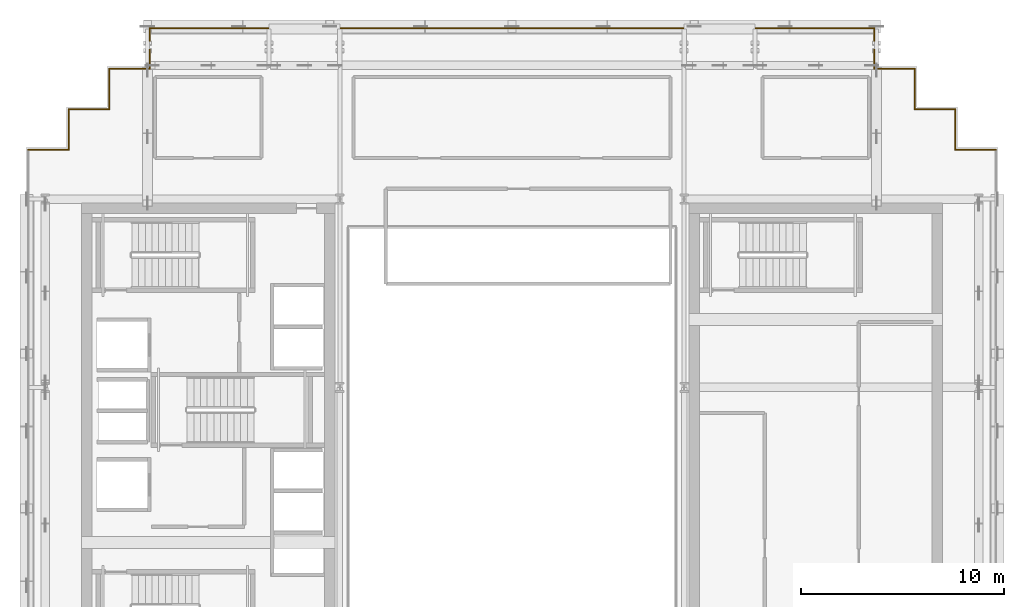
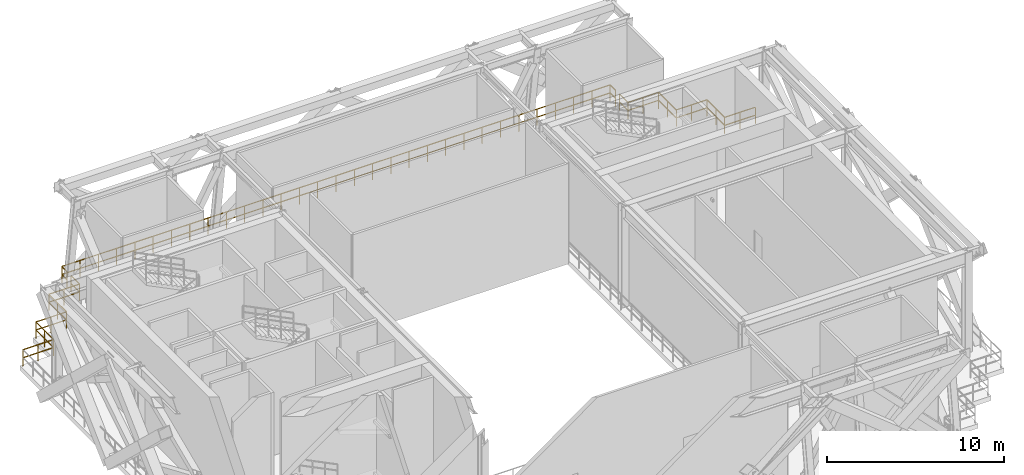
# One storey, part 13 of 13: 15 railings.
"""IFC4 building model written with IfcOpenShell, lengths in metres."""

import ifcopenshell
import ifcopenshell.guid

model = None  # the IFC model being written
_history = None  # IfcOwnerHistory: only IFC2X3 demands one
_inside = {}  # id of a spatial element -> (the spatial element, [elements in it])
_under = {}  # id of a project, library or spatial element -> (it, [spatial elements below it])
_declared = {}  # id of a project -> (the project, [libraries it declares])
_typed = {}  # id of a type object -> (the type object, [elements of that type])
_made_of = {}  # id of a material, layer set ... -> (it, [elements and type objects made of it])


def new_model(schema):
    """Start an empty IFC model of exactly this schema.

    Asked for "IFC4X3", IfcOpenShell would pick the latest addendum, in which some entities
    have other attributes; the version numbers below select the first issue.
    IFC2X3 requires an IfcOwnerHistory on every rooted entity: one is made here for all.
    """
    global model, _history
    if schema == "IFC4X3":
        model = ifcopenshell.file(schema_version=(4, 3, 0, 0))
    else:
        model = ifcopenshell.file(schema=schema)
    _inside.clear()
    _under.clear()
    _declared.clear()
    _typed.clear()
    _made_of.clear()
    _history = None
    if model.schema == "IFC2X3":
        org = make("IfcOrganization", Name="unknown")
        user = make(
            "IfcPersonAndOrganization",
            ThePerson=make("IfcPerson", FamilyName="unknown"),
            TheOrganization=org,
        )
        app = make(
            "IfcApplication",
            ApplicationDeveloper=org,
            Version="unknown",
            ApplicationFullName="unknown",
            ApplicationIdentifier="unknown",
        )
        _history = make(
            "IfcOwnerHistory",
            OwningUser=user,
            OwningApplication=app,
            ChangeAction="ADDED",
            CreationDate=0,
        )
    return model


def make(cls, **values):
    """One entity of the class cls with the attributes given. An attribute that is None is left unset."""
    return model.create_entity(
        cls, **{name: value for name, value in values.items() if value is not None}
    )


def rooted(cls, **values):
    """An entity with a GlobalId (a new one), such as an element, a storey or a relation."""
    return make(cls, GlobalId=ifcopenshell.guid.new(), OwnerHistory=_history, **values)


def si_unit(unit_type, name, prefix=None):
    """IfcSIUnit, for example si_unit("LENGTHUNIT", "METRE", prefix="MILLI")."""
    return make("IfcSIUnit", UnitType=unit_type, Prefix=prefix, Name=name)


def assignment(units):
    """IfcUnitAssignment: the units of a project."""
    return None if units is None else make("IfcUnitAssignment", Units=units)


def point(xyz):
    """IfcCartesianPoint."""
    return None if xyz is None else make("IfcCartesianPoint", Coordinates=xyz)


def direction(xyz):
    """IfcDirection."""
    return None if xyz is None else make("IfcDirection", DirectionRatios=xyz)


def frame(location, z_axis=None, x_axis=None):
    """IfcAxis2Placement3D, a coordinate frame: its origin and axes. An axis left out is left unset."""
    return make(
        "IfcAxis2Placement3D",
        Location=point(location),
        Axis=direction(z_axis),
        RefDirection=direction(x_axis),
    )


def frame_2d(location, x_axis=None):
    """IfcAxis2Placement2D, a coordinate frame in the plane: its origin and x axis."""
    return make(
        "IfcAxis2Placement2D", Location=point(location), RefDirection=direction(x_axis)
    )


def origin():
    """The frame at (0, 0, 0) with its axes left unset."""
    return frame((0.0, 0.0, 0.0))


def origin_2d():
    """The frame at (0, 0) in the plane with its x axis left unset."""
    return frame_2d((0.0, 0.0))


def place(relative_to, where):
    """IfcLocalPlacement: puts the frame where relative to a parent placement (None: the world)."""
    return make(
        "IfcLocalPlacement", PlacementRelTo=relative_to, RelativePlacement=where
    )


def context(
    kind, dimensions, precision=None, world=None, true_north=None, identifier=None
):
    """IfcGeometricRepresentationContext, for example the 3D "Model" context."""
    return make(
        "IfcGeometricRepresentationContext",
        ContextIdentifier=identifier,
        ContextType=kind,
        CoordinateSpaceDimension=dimensions,
        Precision=precision,
        WorldCoordinateSystem=world,
        TrueNorth=true_north,
    )


def subcontext(parent, identifier, kind, view, scale=None):
    """IfcGeometricRepresentationSubContext, for example "Body" below "Model"."""
    return make(
        "IfcGeometricRepresentationSubContext",
        ContextIdentifier=identifier,
        ContextType=kind,
        ParentContext=parent,
        TargetScale=scale,
        TargetView=view,
    )


def project(units=None, contexts=None):
    """IfcProject with its units and contexts."""
    return rooted(
        "IfcProject",
        Name="project",
        RepresentationContexts=contexts,
        UnitsInContext=assignment(units),
    )


def spatial(cls, under=None, at=None, **own):
    """A site, building, storey or space (cls), placed at a placement, below another one or the project."""
    s = rooted(cls, ObjectPlacement=at, **own)
    if under is not None:
        _under.setdefault(under.id(), (under, []))[1].append(s)
    return s


def profile(cls, at=None, kind="AREA", **sizes):
    """A parametric profile (cls). Its sizes go by their IFC names, for example OverallWidth=200.0."""
    return make(cls, ProfileType=kind, Position=at, **sizes)


def rectangle(**sizes):
    """IfcRectangleProfileDef."""
    return profile("IfcRectangleProfileDef", **sizes)


def extrude(swept, where, along, depth):
    """IfcExtrudedAreaSolid: the profile swept, set in the frame where, extruded along a direction by depth."""
    return make(
        "IfcExtrudedAreaSolid",
        SweptArea=swept,
        Position=where,
        ExtrudedDirection=direction(along),
        Depth=depth,
    )


def shape(context_of_items, identifier, shape_type, items):
    """IfcShapeRepresentation: the items that make up one representation, for example the "Body"."""
    return make(
        "IfcShapeRepresentation",
        ContextOfItems=context_of_items,
        RepresentationIdentifier=identifier,
        RepresentationType=shape_type,
        Items=items,
    )


def material(Name=None, Category=None):
    """IfcMaterial."""
    return make("IfcMaterial", Name=Name, Category=Category)


def made_of(thing, what):
    """Note that an element or type object is made of a material, layer set ...; save() writes the relation."""
    if what is not None:
        _made_of.setdefault(what.id(), (what, []))[1].append(thing)
    return thing


def type_object(cls, material=None, **own):
    """A type object (cls), such as IfcWallType, which elements share."""
    return made_of(rooted(cls, **own), material)


def element(
    cls,
    number,
    at=None,
    inside=None,
    cuts=None,
    type_object=None,
    material=None,
    context=None,
    identifier="Body",
    shape_type=None,
    held_by="IfcProductDefinitionShape",
    body=None,
    shapes=None,
    **own,
):
    """One element of the class cls, such as IfcWall. Its Tag is "e" and its number.

    at: its placement. inside: the storey or other place that contains it. cuts: it is an
    opening in that element (IfcRelVoidsElement). A single representation is given by context,
    identifier, shape_type and body (its items); several are given by shapes. held_by: the class
    of the entity that holds the representations. save() writes the other relations.
    """
    e = rooted(cls, Tag="e%d" % number, ObjectPlacement=at, **own)
    if body is not None:
        shapes = [shape(context, identifier, shape_type, body)]
    if shapes is not None:
        e.Representation = make(held_by, Representations=shapes)
    if inside is not None:
        _inside.setdefault(inside.id(), (inside, []))[1].append(e)
    if cuts is not None:
        rooted(
            "IfcRelVoidsElement", RelatingBuildingElement=cuts, RelatedOpeningElement=e
        )
    if type_object is not None:
        _typed.setdefault(type_object.id(), (type_object, []))[1].append(e)
    return made_of(e, material)


def aggregate(whole, parts):
    """IfcRelAggregates: a whole, such as a stair, and the parts it consists of."""
    return rooted("IfcRelAggregates", RelatingObject=whole, RelatedObjects=parts)


def save(model, path):
    """Write the relations noted so far, then the file.

    IfcRelAggregates (storeys below a building ...), IfcRelContainedInSpatialStructure (elements
    in a storey), IfcRelDefinesByType, IfcRelAssociatesMaterial and IfcRelDeclares: one each for
    every whole, place, type object, material and project.
    """
    for whole, parts in _under.values():
        aggregate(whole, parts)
    for where, things in _inside.values():
        rooted(
            "IfcRelContainedInSpatialStructure",
            RelatedElements=things,
            RelatingStructure=where,
        )
    for kind, things in _typed.values():
        rooted("IfcRelDefinesByType", RelatedObjects=things, RelatingType=kind)
    for what, things in _made_of.values():
        rooted("IfcRelAssociatesMaterial", RelatedObjects=things, RelatingMaterial=what)
    for by, libraries in _declared.values():
        rooted("IfcRelDeclares", RelatingContext=by, RelatedDefinitions=libraries)
    model.write(path)


model = new_model("IFC4")

# Units and contexts
model_context = context("Model", 3, precision=1e-05, world=origin(), true_north=direction((0.0, 1.0)))
body_context = subcontext(model_context, "Body", "Model", "MODEL_VIEW")
ifc_project = project(units=[si_unit("LENGTHUNIT", "METRE"), si_unit("AREAUNIT", "SQUARE_METRE"), si_unit("VOLUMEUNIT", "CUBIC_METRE"), si_unit("PLANEANGLEUNIT", "RADIAN"), si_unit("MASSUNIT", "GRAM", prefix="KILO")], contexts=[model_context])

# Site, building, storey
site_placement = place(None, origin())
site = spatial("IfcSite", under=ifc_project, at=site_placement, CompositionType="ELEMENT")
building_placement = place(site_placement, origin())
building = spatial("IfcBuilding", under=site, at=building_placement, Name="Ocotamira Hotel", CompositionType="ELEMENT")
storey_placement = place(building_placement, frame((0.0, 0.0, 220.800048828125)))
storey = spatial("IfcBuildingStorey", under=building, at=storey_placement, Name="L56", CompositionType="ELEMENT", Elevation=220.800048828125)

# Railings
ifc_material = material(Name="Pale-metal stainless steel guardrail", Category="steel")
railing_type = type_object("IfcRailingType", Name="RL-PERIM-1150", PredefinedType="GUARDRAIL", material=ifc_material)
railing_1_placement = place(storey_placement, frame((8.1201171875, 39.8798828125, 0.0)))
element("IfcRailing", 1, at=railing_1_placement, inside=storey, type_object=railing_type, Name="L56 Perimeter Guardrail WSLOT1-09", PredefinedType="GUARDRAIL", context=body_context, shape_type="SweptSolid", body=[
    extrude(rectangle(XDim=0.048095703125, YDim=0.048095703125, at=origin_2d()), frame((0.0, 0.0, 1.1259765625), z_axis=(1.0, 0.0, 0.0), x_axis=(0.0, 1.0, 0.0)), (0.0, 0.0, 1.0), 2.0),
    extrude(rectangle(XDim=0.048095703125, YDim=0.048095703125, at=origin_2d()), frame((0.0, 0.0, 0.574951171875), z_axis=(1.0, 0.0, 0.0), x_axis=(0.0, 1.0, 0.0)), (0.0, 0.0, 1.0), 2.0),
    extrude(rectangle(XDim=0.0419921875, YDim=0.0419921875, at=origin_2d()), origin(), (0.0, 0.0, 1.0), 1.101806640625),
    extrude(rectangle(XDim=0.0419921875, YDim=0.0419921875, at=origin_2d()), frame((1.0, 0.0, 0.0)), (0.0, 0.0, 1.0), 1.101806640625),
    extrude(rectangle(XDim=0.0419921875, YDim=0.0419921875, at=origin_2d()), frame((2.0, 0.0, 0.0)), (0.0, 0.0, 1.0), 1.101806640625),
])
railing_2_placement = place(storey_placement, frame((10.1201171875, 39.8798828125, 0.0)))
element("IfcRailing", 2, at=railing_2_placement, inside=storey, type_object=railing_type, Name="L56 Perimeter Guardrail WSLOT1-10", PredefinedType="GUARDRAIL", context=body_context, shape_type="SweptSolid", body=[
    extrude(rectangle(XDim=0.048095703125, YDim=0.048095703125, at=origin_2d()), frame((0.0, 0.0, 1.1259765625), z_axis=(0.0, 1.0, 0.0), x_axis=(-1.0, 0.0, 0.0)), (0.0, 0.0, 1.0), 2.0),
    extrude(rectangle(XDim=0.048095703125, YDim=0.048095703125, at=origin_2d()), frame((0.0, 0.0, 0.574951171875), z_axis=(0.0, 1.0, 0.0), x_axis=(-1.0, 0.0, 0.0)), (0.0, 0.0, 1.0), 2.0),
    extrude(rectangle(XDim=0.0419921875, YDim=0.0419921875, at=origin_2d()), origin(), (0.0, 0.0, 1.0), 1.101806640625),
    extrude(rectangle(XDim=0.0419921875, YDim=0.0419921875, at=origin_2d()), frame((0.0, 1.0, 0.0)), (0.0, 0.0, 1.0), 1.101806640625),
    extrude(rectangle(XDim=0.0419921875, YDim=0.0419921875, at=origin_2d()), frame((0.0, 2.0, 0.0)), (0.0, 0.0, 1.0), 1.101806640625),
])
railing_3_placement = place(storey_placement, frame((10.1201171875, 41.8798828125, 0.0)))
element("IfcRailing", 3, at=railing_3_placement, inside=storey, type_object=railing_type, Name="L56 Perimeter Guardrail WSLOT1-11", PredefinedType="GUARDRAIL", context=body_context, shape_type="SweptSolid", body=[
    extrude(rectangle(XDim=0.048095703125, YDim=0.048095703125, at=origin_2d()), frame((0.0, 0.0, 1.1259765625), z_axis=(1.0, 0.0, 0.0), x_axis=(0.0, 1.0, 0.0)), (0.0, 0.0, 1.0), 2.0),
    extrude(rectangle(XDim=0.048095703125, YDim=0.048095703125, at=origin_2d()), frame((0.0, 0.0, 0.574951171875), z_axis=(1.0, 0.0, 0.0), x_axis=(0.0, 1.0, 0.0)), (0.0, 0.0, 1.0), 2.0),
    extrude(rectangle(XDim=0.0419921875, YDim=0.0419921875, at=origin_2d()), origin(), (0.0, 0.0, 1.0), 1.101806640625),
    extrude(rectangle(XDim=0.0419921875, YDim=0.0419921875, at=origin_2d()), frame((1.0, 0.0, 0.0)), (0.0, 0.0, 1.0), 1.101806640625),
    extrude(rectangle(XDim=0.0419921875, YDim=0.0419921875, at=origin_2d()), frame((2.0, 0.0, 0.0)), (0.0, 0.0, 1.0), 1.101806640625),
])
railing_4_placement = place(storey_placement, frame((12.1201171875, 41.8798828125, 0.0)))
element("IfcRailing", 4, at=railing_4_placement, inside=storey, type_object=railing_type, Name="L56 Perimeter Guardrail WSLOT1-12", PredefinedType="GUARDRAIL", context=body_context, shape_type="SweptSolid", body=[
    extrude(rectangle(XDim=0.048095703125, YDim=0.048095703125, at=origin_2d()), frame((0.0, 0.0, 1.1259765625), z_axis=(0.0, 1.0, 0.0), x_axis=(-1.0, 0.0, 0.0)), (0.0, 0.0, 1.0), 2.0),
    extrude(rectangle(XDim=0.048095703125, YDim=0.048095703125, at=origin_2d()), frame((0.0, 0.0, 0.574951171875), z_axis=(0.0, 1.0, 0.0), x_axis=(-1.0, 0.0, 0.0)), (0.0, 0.0, 1.0), 2.0),
    extrude(rectangle(XDim=0.0419921875, YDim=0.0419921875, at=origin_2d()), origin(), (0.0, 0.0, 1.0), 1.101806640625),
    extrude(rectangle(XDim=0.0419921875, YDim=0.0419921875, at=origin_2d()), frame((0.0, 1.0, 0.0)), (0.0, 0.0, 1.0), 1.101806640625),
    extrude(rectangle(XDim=0.0419921875, YDim=0.0419921875, at=origin_2d()), frame((0.0, 2.0, 0.0)), (0.0, 0.0, 1.0), 1.101806640625),
])
railing_5_placement = place(storey_placement, frame((12.1201171875, 43.8798828125, 0.0)))
element("IfcRailing", 5, at=railing_5_placement, inside=storey, type_object=railing_type, Name="L56 Perimeter Guardrail WSLOT1-13", PredefinedType="GUARDRAIL", context=body_context, shape_type="SweptSolid", body=[
    extrude(rectangle(XDim=0.048095703125, YDim=0.048095703125, at=origin_2d()), frame((0.0, 0.0, 1.1259765625), z_axis=(1.0, 0.0, 0.0), x_axis=(0.0, 1.0, 0.0)), (0.0, 0.0, 1.0), 2.0),
    extrude(rectangle(XDim=0.048095703125, YDim=0.048095703125, at=origin_2d()), frame((0.0, 0.0, 0.574951171875), z_axis=(1.0, 0.0, 0.0), x_axis=(0.0, 1.0, 0.0)), (0.0, 0.0, 1.0), 2.0),
    extrude(rectangle(XDim=0.0419921875, YDim=0.0419921875, at=origin_2d()), origin(), (0.0, 0.0, 1.0), 1.101806640625),
    extrude(rectangle(XDim=0.0419921875, YDim=0.0419921875, at=origin_2d()), frame((1.0, 0.0, 0.0)), (0.0, 0.0, 1.0), 1.101806640625),
    extrude(rectangle(XDim=0.0419921875, YDim=0.0419921875, at=origin_2d()), frame((2.0, 0.0, 0.0)), (0.0, 0.0, 1.0), 1.101806640625),
])
railing_6_placement = place(storey_placement, frame((14.1201171875, 43.8798828125, 0.0)))
element("IfcRailing", 6, at=railing_6_placement, inside=storey, type_object=railing_type, Name="L56 Perimeter Guardrail WSLOT1-14", PredefinedType="GUARDRAIL", context=body_context, shape_type="SweptSolid", body=[
    extrude(rectangle(XDim=0.048095703125, YDim=0.048095703125, at=origin_2d()), frame((0.0, 0.0, 1.1259765625), z_axis=(0.0, 1.0, 0.0), x_axis=(-1.0, 0.0, 0.0)), (0.0, 0.0, 1.0), 0.946533203125),
    extrude(rectangle(XDim=0.048095703125, YDim=0.048095703125, at=origin_2d()), frame((0.0, 0.0, 0.574951171875), z_axis=(0.0, 1.0, 0.0), x_axis=(-1.0, 0.0, 0.0)), (0.0, 0.0, 1.0), 0.946533203125),
    extrude(rectangle(XDim=0.0419921875, YDim=0.0419921875, at=origin_2d()), origin(), (0.0, 0.0, 1.0), 1.101806640625),
    extrude(rectangle(XDim=0.0419921875, YDim=0.0419921875, at=origin_2d()), frame((0.0, 0.946533203125, 0.0)), (0.0, 0.0, 1.0), 1.101806640625),
])
railing_7_placement = place(storey_placement, frame((14.1201171875, 45.2734375, 0.0)))
element("IfcRailing", 7, at=railing_7_placement, inside=storey, type_object=railing_type, Name="L56 Perimeter Guardrail WSLOT1-15", PredefinedType="GUARDRAIL", context=body_context, shape_type="SweptSolid", body=[
    extrude(rectangle(XDim=0.048095703125, YDim=0.048095703125, at=origin_2d()), frame((0.0, 0.0, 1.1259765625), z_axis=(0.0, 1.0, 0.0), x_axis=(-1.0, 0.0, 0.0)), (0.0, 0.0, 1.0), 0.6064453125),
    extrude(rectangle(XDim=0.048095703125, YDim=0.048095703125, at=origin_2d()), frame((0.0, 0.0, 0.574951171875), z_axis=(0.0, 1.0, 0.0), x_axis=(-1.0, 0.0, 0.0)), (0.0, 0.0, 1.0), 0.6064453125),
    extrude(rectangle(XDim=0.0419921875, YDim=0.0419921875, at=origin_2d()), origin(), (0.0, 0.0, 1.0), 1.101806640625),
    extrude(rectangle(XDim=0.0419921875, YDim=0.0419921875, at=origin_2d()), frame((0.0, 0.6064453125, 0.0)), (0.0, 0.0, 1.0), 1.101806640625),
])
railing_8_placement = place(storey_placement, frame((14.1201171875, 45.8798828125, 0.0)))
element("IfcRailing", 8, at=railing_8_placement, inside=storey, type_object=railing_type, Name="L56 Perimeter Guardrail WSLOT1-16", PredefinedType="GUARDRAIL", context=body_context, shape_type="SweptSolid", body=[
    extrude(rectangle(XDim=0.048095703125, YDim=0.048095703125, at=origin_2d()), frame((0.0, 0.0, 1.1259765625), z_axis=(1.0, 0.0, 0.0), x_axis=(0.0, 1.0, 0.0)), (0.0, 0.0, 1.0), 35.759765625),
    extrude(rectangle(XDim=0.048095703125, YDim=0.048095703125, at=origin_2d()), frame((0.0, 0.0, 0.574951171875), z_axis=(1.0, 0.0, 0.0), x_axis=(0.0, 1.0, 0.0)), (0.0, 0.0, 1.0), 35.759765625),
    extrude(rectangle(XDim=0.0419921875, YDim=0.0419921875, at=origin_2d()), origin(), (0.0, 0.0, 1.0), 1.101806640625),
    extrude(rectangle(XDim=0.0419921875, YDim=0.0419921875, at=origin_2d()), frame((1.19189453125, 0.0, 0.0)), (0.0, 0.0, 1.0), 1.101806640625),
    extrude(rectangle(XDim=0.0419921875, YDim=0.0419921875, at=origin_2d()), frame((2.384033203125, 0.0, 0.0)), (0.0, 0.0, 1.0), 1.101806640625),
    extrude(rectangle(XDim=0.0419921875, YDim=0.0419921875, at=origin_2d()), frame((3.575927734375, 0.0, 0.0)), (0.0, 0.0, 1.0), 1.101806640625),
    extrude(rectangle(XDim=0.0419921875, YDim=0.0419921875, at=origin_2d()), frame((4.76806640625, 0.0, 0.0)), (0.0, 0.0, 1.0), 1.101806640625),
    extrude(rectangle(XDim=0.0419921875, YDim=0.0419921875, at=origin_2d()), frame((5.9599609375, 0.0, 0.0)), (0.0, 0.0, 1.0), 1.101806640625),
    extrude(rectangle(XDim=0.0419921875, YDim=0.0419921875, at=origin_2d()), frame((7.15185546875, 0.0, 0.0)), (0.0, 0.0, 1.0), 1.101806640625),
    extrude(rectangle(XDim=0.0419921875, YDim=0.0419921875, at=origin_2d()), frame((8.343994140625, 0.0, 0.0)), (0.0, 0.0, 1.0), 1.101806640625),
    extrude(rectangle(XDim=0.0419921875, YDim=0.0419921875, at=origin_2d()), frame((9.535888671875, 0.0, 0.0)), (0.0, 0.0, 1.0), 1.101806640625),
    extrude(rectangle(XDim=0.0419921875, YDim=0.0419921875, at=origin_2d()), frame((10.72802734375, 0.0, 0.0)), (0.0, 0.0, 1.0), 1.101806640625),
    extrude(rectangle(XDim=0.0419921875, YDim=0.0419921875, at=origin_2d()), frame((11.919921875, 0.0, 0.0)), (0.0, 0.0, 1.0), 1.101806640625),
    extrude(rectangle(XDim=0.0419921875, YDim=0.0419921875, at=origin_2d()), frame((13.11181640625, 0.0, 0.0)), (0.0, 0.0, 1.0), 1.101806640625),
    extrude(rectangle(XDim=0.0419921875, YDim=0.0419921875, at=origin_2d()), frame((14.303955078125, 0.0, 0.0)), (0.0, 0.0, 1.0), 1.101806640625),
    extrude(rectangle(XDim=0.0419921875, YDim=0.0419921875, at=origin_2d()), frame((15.495849609375, 0.0, 0.0)), (0.0, 0.0, 1.0), 1.101806640625),
    extrude(rectangle(XDim=0.0419921875, YDim=0.0419921875, at=origin_2d()), frame((16.68798828125, 0.0, 0.0)), (0.0, 0.0, 1.0), 1.101806640625),
    extrude(rectangle(XDim=0.0419921875, YDim=0.0419921875, at=origin_2d()), frame((17.8798828125, 0.0, 0.0)), (0.0, 0.0, 1.0), 1.101806640625),
    extrude(rectangle(XDim=0.0419921875, YDim=0.0419921875, at=origin_2d()), frame((19.07177734375, 0.0, 0.0)), (0.0, 0.0, 1.0), 1.101806640625),
    extrude(rectangle(XDim=0.0419921875, YDim=0.0419921875, at=origin_2d()), frame((20.263916015625, 0.0, 0.0)), (0.0, 0.0, 1.0), 1.101806640625),
    extrude(rectangle(XDim=0.0419921875, YDim=0.0419921875, at=origin_2d()), frame((21.455810546875, 0.0, 0.0)), (0.0, 0.0, 1.0), 1.101806640625),
    extrude(rectangle(XDim=0.0419921875, YDim=0.0419921875, at=origin_2d()), frame((22.64794921875, 0.0, 0.0)), (0.0, 0.0, 1.0), 1.101806640625),
    extrude(rectangle(XDim=0.0419921875, YDim=0.0419921875, at=origin_2d()), frame((23.83984375, 0.0, 0.0)), (0.0, 0.0, 1.0), 1.101806640625),
    extrude(rectangle(XDim=0.0419921875, YDim=0.0419921875, at=origin_2d()), frame((25.03173828125, 0.0, 0.0)), (0.0, 0.0, 1.0), 1.101806640625),
    extrude(rectangle(XDim=0.0419921875, YDim=0.0419921875, at=origin_2d()), frame((26.223876953125, 0.0, 0.0)), (0.0, 0.0, 1.0), 1.101806640625),
    extrude(rectangle(XDim=0.0419921875, YDim=0.0419921875, at=origin_2d()), frame((27.415771484375, 0.0, 0.0)), (0.0, 0.0, 1.0), 1.101806640625),
    extrude(rectangle(XDim=0.0419921875, YDim=0.0419921875, at=origin_2d()), frame((28.60791015625, 0.0, 0.0)), (0.0, 0.0, 1.0), 1.101806640625),
    extrude(rectangle(XDim=0.0419921875, YDim=0.0419921875, at=origin_2d()), frame((29.7998046875, 0.0, 0.0)), (0.0, 0.0, 1.0), 1.101806640625),
    extrude(rectangle(XDim=0.0419921875, YDim=0.0419921875, at=origin_2d()), frame((30.99169921875, 0.0, 0.0)), (0.0, 0.0, 1.0), 1.101806640625),
    extrude(rectangle(XDim=0.0419921875, YDim=0.0419921875, at=origin_2d()), frame((32.183837890625, 0.0, 0.0)), (0.0, 0.0, 1.0), 1.101806640625),
    extrude(rectangle(XDim=0.0419921875, YDim=0.0419921875, at=origin_2d()), frame((33.375732421875, 0.0, 0.0)), (0.0, 0.0, 1.0), 1.101806640625),
    extrude(rectangle(XDim=0.0419921875, YDim=0.0419921875, at=origin_2d()), frame((34.56787109375, 0.0, 0.0)), (0.0, 0.0, 1.0), 1.101806640625),
    extrude(rectangle(XDim=0.0419921875, YDim=0.0419921875, at=origin_2d()), frame((35.759765625, 0.0, 0.0)), (0.0, 0.0, 1.0), 1.101806640625),
])
railing_9_placement = place(storey_placement, frame((49.8798828125, 45.8798828125, 0.0)))
element("IfcRailing", 9, at=railing_9_placement, inside=storey, type_object=railing_type, Name="L56 Perimeter Guardrail WSLOT1-17", PredefinedType="GUARDRAIL", context=body_context, shape_type="SweptSolid", body=[
    extrude(rectangle(XDim=0.048095703125, YDim=0.048095703125, at=origin_2d()), frame((0.0, 0.0, 1.1259765625), z_axis=(0.0, -1.0, 0.0), x_axis=(1.0, 0.0, 0.0)), (0.0, 0.0, 1.0), 0.6064453125),
    extrude(rectangle(XDim=0.048095703125, YDim=0.048095703125, at=origin_2d()), frame((0.0, 0.0, 0.574951171875), z_axis=(0.0, -1.0, 0.0), x_axis=(1.0, 0.0, 0.0)), (0.0, 0.0, 1.0), 0.6064453125),
    extrude(rectangle(XDim=0.0419921875, YDim=0.0419921875, at=origin_2d()), origin(), (0.0, 0.0, 1.0), 1.101806640625),
    extrude(rectangle(XDim=0.0419921875, YDim=0.0419921875, at=origin_2d()), frame((0.0, -0.6064453125, 0.0)), (0.0, 0.0, 1.0), 1.101806640625),
])
railing_10_placement = place(storey_placement, frame((49.8798828125, 44.826416015625, 0.0)))
element("IfcRailing", 10, at=railing_10_placement, inside=storey, type_object=railing_type, Name="L56 Perimeter Guardrail WSLOT1-18", PredefinedType="GUARDRAIL", context=body_context, shape_type="SweptSolid", body=[
    extrude(rectangle(XDim=0.048095703125, YDim=0.048095703125, at=origin_2d()), frame((0.0, 0.0, 1.1259765625), z_axis=(0.0, -1.0, 0.0), x_axis=(1.0, 0.0, 0.0)), (0.0, 0.0, 1.0), 0.946533203125),
    extrude(rectangle(XDim=0.048095703125, YDim=0.048095703125, at=origin_2d()), frame((0.0, 0.0, 0.574951171875), z_axis=(0.0, -1.0, 0.0), x_axis=(1.0, 0.0, 0.0)), (0.0, 0.0, 1.0), 0.946533203125),
    extrude(rectangle(XDim=0.0419921875, YDim=0.0419921875, at=origin_2d()), origin(), (0.0, 0.0, 1.0), 1.101806640625),
    extrude(rectangle(XDim=0.0419921875, YDim=0.0419921875, at=origin_2d()), frame((0.0, -0.946533203125, 0.0)), (0.0, 0.0, 1.0), 1.101806640625),
])
railing_11_placement = place(storey_placement, frame((49.8798828125, 43.8798828125, 0.0)))
element("IfcRailing", 11, at=railing_11_placement, inside=storey, type_object=railing_type, Name="L56 Perimeter Guardrail WSLOT1-19", PredefinedType="GUARDRAIL", context=body_context, shape_type="SweptSolid", body=[
    extrude(rectangle(XDim=0.048095703125, YDim=0.048095703125, at=origin_2d()), frame((0.0, 0.0, 1.1259765625), z_axis=(1.0, 0.0, 0.0), x_axis=(0.0, 1.0, 0.0)), (0.0, 0.0, 1.0), 2.0),
    extrude(rectangle(XDim=0.048095703125, YDim=0.048095703125, at=origin_2d()), frame((0.0, 0.0, 0.574951171875), z_axis=(1.0, 0.0, 0.0), x_axis=(0.0, 1.0, 0.0)), (0.0, 0.0, 1.0), 2.0),
    extrude(rectangle(XDim=0.0419921875, YDim=0.0419921875, at=origin_2d()), origin(), (0.0, 0.0, 1.0), 1.101806640625),
    extrude(rectangle(XDim=0.0419921875, YDim=0.0419921875, at=origin_2d()), frame((1.0, 0.0, 0.0)), (0.0, 0.0, 1.0), 1.101806640625),
    extrude(rectangle(XDim=0.0419921875, YDim=0.0419921875, at=origin_2d()), frame((2.0, 0.0, 0.0)), (0.0, 0.0, 1.0), 1.101806640625),
])
railing_12_placement = place(storey_placement, frame((51.8798828125, 43.8798828125, 0.0)))
element("IfcRailing", 12, at=railing_12_placement, inside=storey, type_object=railing_type, Name="L56 Perimeter Guardrail WSLOT1-20", PredefinedType="GUARDRAIL", context=body_context, shape_type="SweptSolid", body=[
    extrude(rectangle(XDim=0.048095703125, YDim=0.048095703125, at=origin_2d()), frame((0.0, 0.0, 1.1259765625), z_axis=(0.0, -1.0, 0.0), x_axis=(1.0, 0.0, 0.0)), (0.0, 0.0, 1.0), 2.0),
    extrude(rectangle(XDim=0.048095703125, YDim=0.048095703125, at=origin_2d()), frame((0.0, 0.0, 0.574951171875), z_axis=(0.0, -1.0, 0.0), x_axis=(1.0, 0.0, 0.0)), (0.0, 0.0, 1.0), 2.0),
    extrude(rectangle(XDim=0.0419921875, YDim=0.0419921875, at=origin_2d()), origin(), (0.0, 0.0, 1.0), 1.101806640625),
    extrude(rectangle(XDim=0.0419921875, YDim=0.0419921875, at=origin_2d()), frame((0.0, -1.0, 0.0)), (0.0, 0.0, 1.0), 1.101806640625),
    extrude(rectangle(XDim=0.0419921875, YDim=0.0419921875, at=origin_2d()), frame((0.0, -2.0, 0.0)), (0.0, 0.0, 1.0), 1.101806640625),
])
railing_13_placement = place(storey_placement, frame((51.8798828125, 41.8798828125, 0.0)))
element("IfcRailing", 13, at=railing_13_placement, inside=storey, type_object=railing_type, Name="L56 Perimeter Guardrail WSLOT1-21", PredefinedType="GUARDRAIL", context=body_context, shape_type="SweptSolid", body=[
    extrude(rectangle(XDim=0.048095703125, YDim=0.048095703125, at=origin_2d()), frame((0.0, 0.0, 1.1259765625), z_axis=(1.0, 0.0, 0.0), x_axis=(0.0, 1.0, 0.0)), (0.0, 0.0, 1.0), 2.0),
    extrude(rectangle(XDim=0.048095703125, YDim=0.048095703125, at=origin_2d()), frame((0.0, 0.0, 0.574951171875), z_axis=(1.0, 0.0, 0.0), x_axis=(0.0, 1.0, 0.0)), (0.0, 0.0, 1.0), 2.0),
    extrude(rectangle(XDim=0.0419921875, YDim=0.0419921875, at=origin_2d()), origin(), (0.0, 0.0, 1.0), 1.101806640625),
    extrude(rectangle(XDim=0.0419921875, YDim=0.0419921875, at=origin_2d()), frame((1.0, 0.0, 0.0)), (0.0, 0.0, 1.0), 1.101806640625),
    extrude(rectangle(XDim=0.0419921875, YDim=0.0419921875, at=origin_2d()), frame((2.0, 0.0, 0.0)), (0.0, 0.0, 1.0), 1.101806640625),
])
railing_14_placement = place(storey_placement, frame((53.8798828125, 41.8798828125, 0.0)))
element("IfcRailing", 14, at=railing_14_placement, inside=storey, type_object=railing_type, Name="L56 Perimeter Guardrail WSLOT1-22", PredefinedType="GUARDRAIL", context=body_context, shape_type="SweptSolid", body=[
    extrude(rectangle(XDim=0.048095703125, YDim=0.048095703125, at=origin_2d()), frame((0.0, 0.0, 1.1259765625), z_axis=(0.0, -1.0, 0.0), x_axis=(1.0, 0.0, 0.0)), (0.0, 0.0, 1.0), 2.0),
    extrude(rectangle(XDim=0.048095703125, YDim=0.048095703125, at=origin_2d()), frame((0.0, 0.0, 0.574951171875), z_axis=(0.0, -1.0, 0.0), x_axis=(1.0, 0.0, 0.0)), (0.0, 0.0, 1.0), 2.0),
    extrude(rectangle(XDim=0.0419921875, YDim=0.0419921875, at=origin_2d()), origin(), (0.0, 0.0, 1.0), 1.101806640625),
    extrude(rectangle(XDim=0.0419921875, YDim=0.0419921875, at=origin_2d()), frame((0.0, -1.0, 0.0)), (0.0, 0.0, 1.0), 1.101806640625),
    extrude(rectangle(XDim=0.0419921875, YDim=0.0419921875, at=origin_2d()), frame((0.0, -2.0, 0.0)), (0.0, 0.0, 1.0), 1.101806640625),
])
railing_15_placement = place(storey_placement, frame((53.8798828125, 39.8798828125, 0.0)))
element("IfcRailing", 15, at=railing_15_placement, inside=storey, type_object=railing_type, Name="L56 Perimeter Guardrail WSLOT1-23", PredefinedType="GUARDRAIL", context=body_context, shape_type="SweptSolid", body=[
    extrude(rectangle(XDim=0.048095703125, YDim=0.048095703125, at=origin_2d()), frame((0.0, 0.0, 1.1259765625), z_axis=(1.0, 0.0, 0.0), x_axis=(0.0, 1.0, 0.0)), (0.0, 0.0, 1.0), 2.0),
    extrude(rectangle(XDim=0.048095703125, YDim=0.048095703125, at=origin_2d()), frame((0.0, 0.0, 0.574951171875), z_axis=(1.0, 0.0, 0.0), x_axis=(0.0, 1.0, 0.0)), (0.0, 0.0, 1.0), 2.0),
    extrude(rectangle(XDim=0.0419921875, YDim=0.0419921875, at=origin_2d()), origin(), (0.0, 0.0, 1.0), 1.101806640625),
    extrude(rectangle(XDim=0.0419921875, YDim=0.0419921875, at=origin_2d()), frame((1.0, 0.0, 0.0)), (0.0, 0.0, 1.0), 1.101806640625),
    extrude(rectangle(XDim=0.0419921875, YDim=0.0419921875, at=origin_2d()), frame((2.0, 0.0, 0.0)), (0.0, 0.0, 1.0), 1.101806640625),
])

save(model, "model.ifc")
